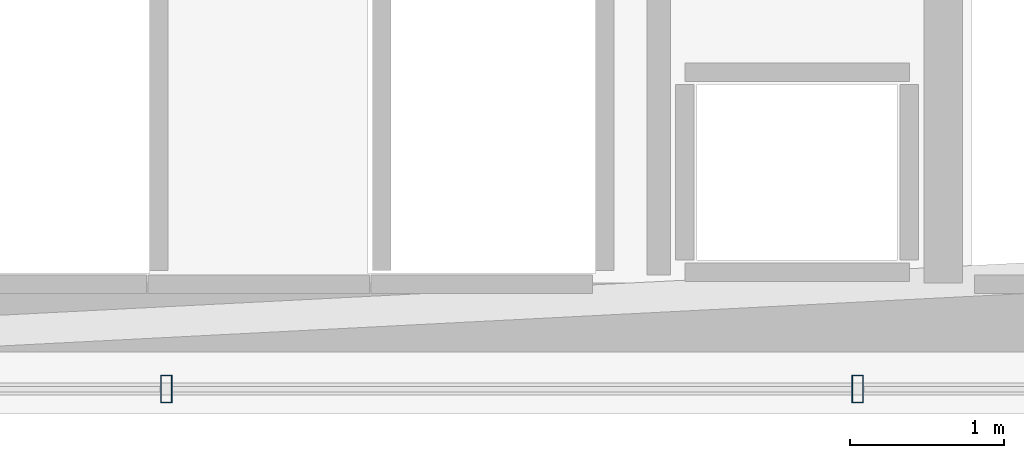
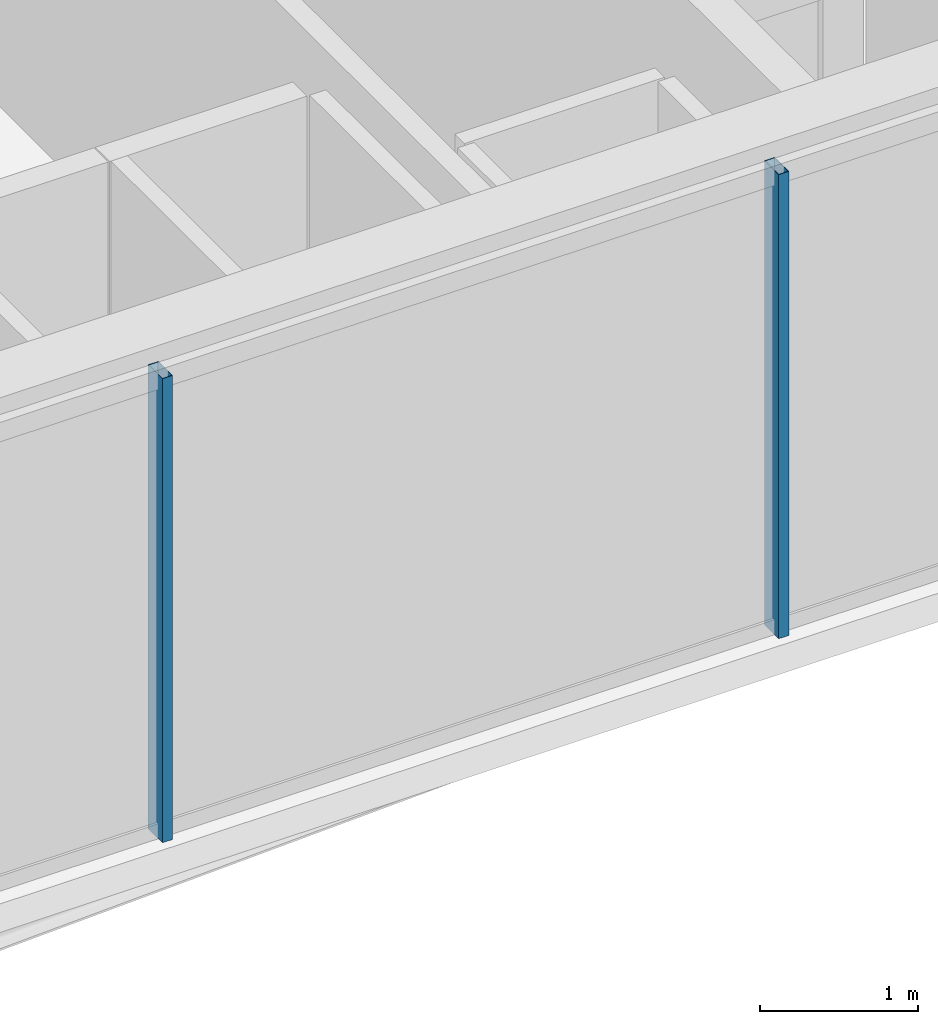
# One storey, part 9 of 32: 2 members, 1 element without a shape of its own.
"""IFC4 building model written with IfcOpenShell, lengths in metres."""

from ifc_helpers import new_model, si_unit, direction, frame, origin, origin_2d, place, context, subcontext, project, spatial, hollow_rectangle, extrude, material, layer, layer_set, material_profile, profile_set, type_object, element, aggregate, save


model = new_model("IFC4")

# Units and contexts
model_context = context("Model", 3, precision=1e-05, world=origin(), true_north=direction((0.0, 1.0)))
body_context = subcontext(model_context, "Body", "Model", "MODEL_VIEW")
ifc_project = project(units=[si_unit("LENGTHUNIT", "METRE"), si_unit("AREAUNIT", "SQUARE_METRE"), si_unit("VOLUMEUNIT", "CUBIC_METRE"), si_unit("PLANEANGLEUNIT", "RADIAN"), si_unit("MASSUNIT", "GRAM", prefix="KILO")], contexts=[model_context])

# Site, building, storey
site_placement = place(None, origin())
site = spatial("IfcSite", under=ifc_project, at=site_placement, CompositionType="ELEMENT")
building_placement = place(site_placement, origin())
building = spatial("IfcBuilding", under=site, at=building_placement, Name="Ndaravel Arena Tower", CompositionType="ELEMENT")
storey_placement = place(building_placement, frame((0.0, 0.0, 62.60009765625)))
storey = spatial("IfcBuildingStorey", under=building, at=storey_placement, Name="L13", CompositionType="ELEMENT", Elevation=62.60009765625)

# Curtain wall, members
ifc_material_1 = material(Name="Aluminium", Category="aluminium")
ifc_layer = layer(ifc_material_1, 0.179931640625)
ifc_layer_set = layer_set([ifc_layer], Name="Aluminium")
curtain_wall_type = type_object("IfcCurtainWallType", Name="CW-SYS-03", PredefinedType="NOTDEFINED", material=ifc_layer_set)
curtain_wall_placement = place(storey_placement, origin())
curtain_wall = element("IfcCurtainWall", 1, at=curtain_wall_placement, inside=storey, type_object=curtain_wall_type, Name="L13 Faceted Crystal Curtain Wall CW-L13-E01", PredefinedType="NOTDEFINED")
ifc_material_2 = material(Name="Aluminium", Category="aluminium")
ifc_material_profile = material_profile(ifc_material_2, hollow_rectangle(XDim=0.074951171875, YDim=0.179931640625, WallThickness=0.00390625, at=origin_2d()), Name="CW MULLION 75x180x4")
ifc_profile_set = profile_set([ifc_material_profile], Name="Aluminium")
member_type = type_object("IfcMemberType", Name="MEM-CW-MUL180", PredefinedType="MULLION", material=ifc_profile_set)
member_1_placement = place(storey_placement, frame((44.247802734375, 5.159912109375, 0.0), z_axis=(0.0, 0.0, 1.0), x_axis=(1.0, 0.0, 0.0)))
member_1 = element("IfcMember", 2, at=member_1_placement, type_object=member_type, Name="CW-L13-E01 Mullion 04", PredefinedType="MULLION", context=body_context, shape_type="SweptSolid", body=[
    extrude(hollow_rectangle(XDim=0.074951171875, YDim=0.179931640625, WallThickness=0.00390625, at=origin_2d()), origin(), (0.0, 0.0, 1.0), 3.579833984375),
])
member_2_placement = place(storey_placement, frame((48.74365234375, 5.159912109375, 0.0), z_axis=(0.0, 0.0, 1.0), x_axis=(1.0, 0.0, 0.0)))
member_2 = element("IfcMember", 3, at=member_2_placement, type_object=member_type, Name="CW-L13-E01 Mullion 05", PredefinedType="MULLION", context=body_context, shape_type="SweptSolid", body=[
    extrude(hollow_rectangle(XDim=0.074951171875, YDim=0.179931640625, WallThickness=0.00390625, at=origin_2d()), origin(), (0.0, 0.0, 1.0), 3.579833984375),
])
aggregate(curtain_wall, [member_1, member_2])

save(model, "model.ifc")
